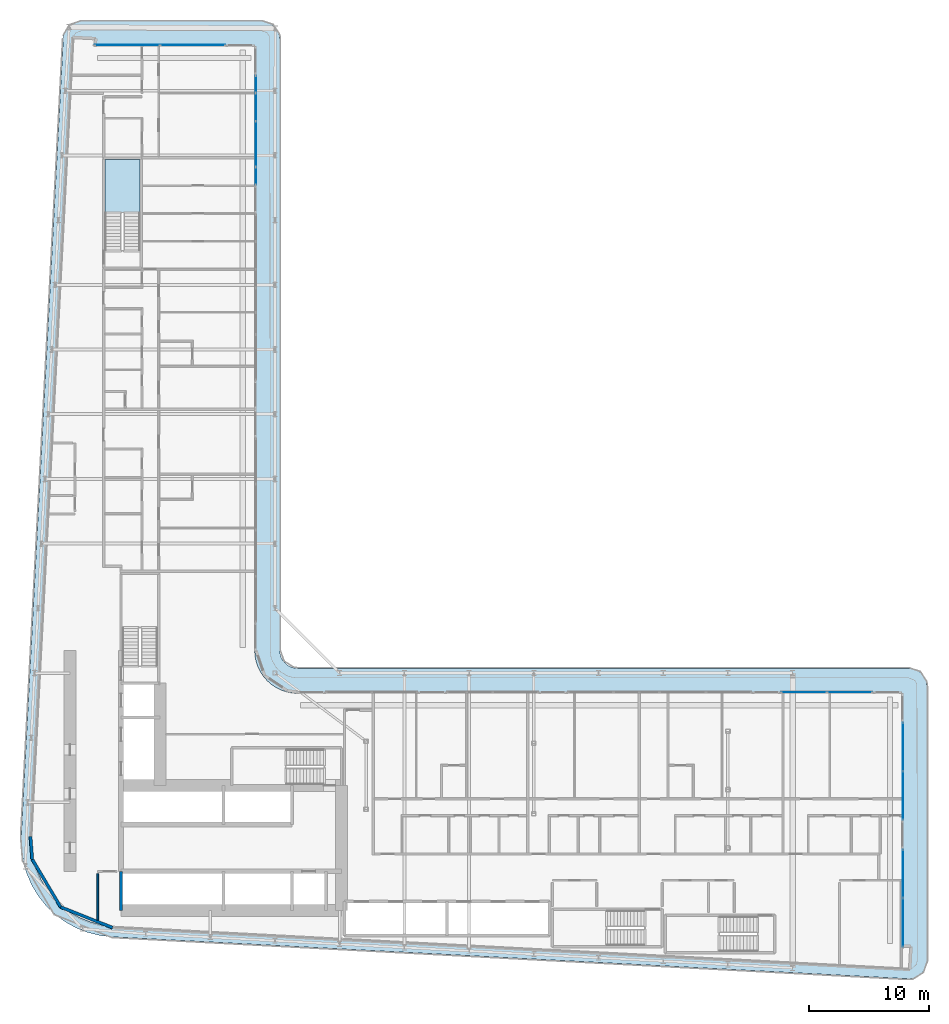
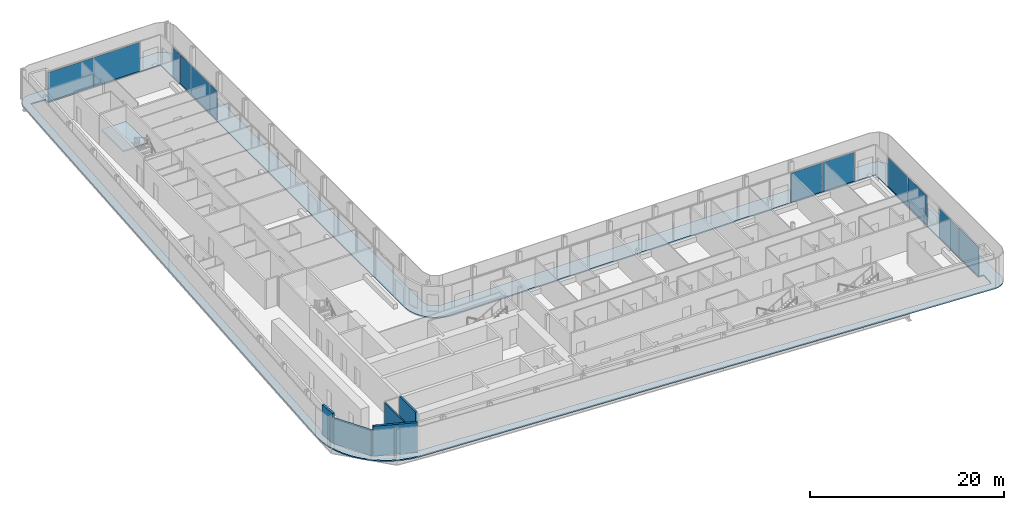
# One storey, part 11 of 27: 12 plates, 5 walls, 2 slabs, 7 elements without a shape of their own.
"""IFC4 building model written with IfcOpenShell, lengths in metres."""

from ifc_helpers import new_model, si_unit, direction, frame, frame_2d, origin, origin_2d, place, context, subcontext, project, spatial, polyline, rectangle, outline, extrude, material, layer, layer_set, type_object, element, aggregate, save


model = new_model("IFC4")

# Units and contexts
model_context = context("Model", 3, precision=1e-05, world=origin(), true_north=direction((0.0, 1.0)))
body_context = subcontext(model_context, "Body", "Model", "MODEL_VIEW")
ifc_project = project(units=[si_unit("LENGTHUNIT", "METRE"), si_unit("AREAUNIT", "SQUARE_METRE"), si_unit("VOLUMEUNIT", "CUBIC_METRE"), si_unit("PLANEANGLEUNIT", "RADIAN"), si_unit("MASSUNIT", "GRAM", prefix="KILO")], contexts=[model_context])

# Site, building, storey
site_placement = place(None, origin())
site = spatial("IfcSite", under=ifc_project, at=site_placement, CompositionType="ELEMENT")
building_placement = place(site_placement, origin())
building = spatial("IfcBuilding", under=site, at=building_placement, Name="Kheshtan School and Residences Tower", CompositionType="ELEMENT")
storey_placement = place(building_placement, frame((0.0, 0.0, 57.800048828125)))
storey = spatial("IfcBuildingStorey", under=building, at=storey_placement, Name="L13", CompositionType="ELEMENT", Elevation=57.800048828125)

# Curtain wall, plates
ifc_material_1 = material(Name="Clear low-e glass in thermally broken aluminium frame", Category="aluminium")
ifc_layer_1 = layer(ifc_material_1, 0.199951171875)
ifc_layer_set_1 = layer_set([ifc_layer_1], Name="Curtain wall CW-L")
curtain_wall_type = type_object("IfcCurtainWallType", Name="Curtain wall CW-L", PredefinedType="NOTDEFINED", material=ifc_layer_set_1)
curtain_wall_1_placement = place(storey_placement, origin())
curtain_wall_1 = element("IfcCurtainWall", 1, at=curtain_wall_1_placement, inside=storey, type_object=curtain_wall_type, Name="Curtain wall CWL7", PredefinedType="NOTDEFINED")
ifc_layer_2 = layer(ifc_material_1, 0.031982421875)
ifc_layer_set_2 = layer_set([ifc_layer_2], Name="CW-L glass panel")
plate_type = type_object("IfcPlateType", Name="CW-L glass panel", PredefinedType="CURTAIN_PANEL", material=ifc_layer_set_2)
plate_1_placement = place(storey_placement, frame((35.259033203125, 98.0, 0.0), z_axis=(0.0, 0.0, 1.0), x_axis=(1.0, 0.0, 0.0)))
plate_1 = element("IfcPlate", 2, at=plate_1_placement, type_object=plate_type, Name="CWL7 panel 1.1", PredefinedType="CURTAIN_PANEL", context=body_context, shape_type="SweptSolid", body=[
    extrude(rectangle(XDim=5.4140625, YDim=0.031982421875, at=origin_2d()), origin(), (0.0, 0.0, 1.0), 3.6298828125),
])
plate_2_placement = place(storey_placement, frame((40.73291015625, 98.0, 0.0), z_axis=(0.0, 0.0, 1.0), x_axis=(1.0, 0.0, 0.0)))
plate_2 = element("IfcPlate", 3, at=plate_2_placement, type_object=plate_type, Name="CWL7 panel 2.1", PredefinedType="CURTAIN_PANEL", context=body_context, shape_type="SweptSolid", body=[
    extrude(rectangle(XDim=5.4140625, YDim=0.031982421875, at=origin_2d()), origin(), (0.0, 0.0, 1.0), 3.6298828125),
])
aggregate(curtain_wall_1, [plate_1, plate_2])

curtain_wall_2_placement = place(storey_placement, origin())
curtain_wall_2 = element("IfcCurtainWall", 4, at=curtain_wall_2_placement, inside=storey, type_object=curtain_wall_type, Name="Curtain wall CWL8c", PredefinedType="NOTDEFINED")
plate_3_placement = place(storey_placement, frame((46.0, 94.735107421875, 0.0), z_axis=(0.0, 0.0, 1.0), x_axis=(0.0, -1.0, 0.0)))
plate_3 = element("IfcPlate", 5, at=plate_3_placement, type_object=plate_type, Name="CWL8c panel 1.1", PredefinedType="CURTAIN_PANEL", context=body_context, shape_type="SweptSolid", body=[
    extrude(rectangle(XDim=1.409912109375, YDim=0.031982421875, at=origin_2d()), origin(), (0.0, 0.0, 1.0), 3.6298828125),
])
plate_4_placement = place(storey_placement, frame((46.0, 92.826416015625, 0.0), z_axis=(0.0, 0.0, 1.0), x_axis=(0.0, -1.0, 0.0)))
plate_4 = element("IfcPlate", 6, at=plate_4_placement, type_object=plate_type, Name="CWL8c panel 2.1", PredefinedType="CURTAIN_PANEL", context=body_context, shape_type="SweptSolid", body=[
    extrude(rectangle(XDim=2.287109375, YDim=0.031982421875, at=origin_2d()), origin(), (0.0, 0.0, 1.0), 3.6298828125),
])
plate_5_placement = place(storey_placement, frame((46.0, 89.744384765625, 0.0), z_axis=(0.0, 0.0, 1.0), x_axis=(0.0, -1.0, 0.0)))
plate_5 = element("IfcPlate", 7, at=plate_5_placement, type_object=plate_type, Name="CWL8c panel 3.1", PredefinedType="CURTAIN_PANEL", context=body_context, shape_type="SweptSolid", body=[
    extrude(rectangle(XDim=3.757080078125, YDim=0.031982421875, at=origin_2d()), origin(), (0.0, 0.0, 1.0), 3.6298828125),
])
aggregate(curtain_wall_2, [plate_3, plate_4, plate_5])

# Curtain wall, plate
curtain_wall_3_placement = place(storey_placement, origin())
curtain_wall_3 = element("IfcCurtainWall", 8, at=curtain_wall_3_placement, inside=storey, type_object=curtain_wall_type, Name="Curtain wall CWL8a", PredefinedType="NOTDEFINED")
plate_6_placement = place(storey_placement, frame((46.0, 87.0859375, 0.0), z_axis=(0.0, 0.0, 1.0), x_axis=(0.0, -1.0, 0.0)))
plate_6 = element("IfcPlate", 9, at=plate_6_placement, type_object=plate_type, Name="CWL8a panel 1.1", PredefinedType="CURTAIN_PANEL", context=body_context, shape_type="SweptSolid", body=[
    extrude(rectangle(XDim=1.43994140625, YDim=0.031982421875, at=origin_2d()), origin(), (0.0, 0.0, 1.0), 3.6298828125),
])
aggregate(curtain_wall_3, [plate_6])

# Curtain wall, plates
curtain_wall_4_placement = place(storey_placement, origin())
curtain_wall_4 = element("IfcCurtainWall", 10, at=curtain_wall_4_placement, inside=storey, type_object=curtain_wall_type, Name="Curtain wall CWL12j", PredefinedType="NOTDEFINED")
plate_7_placement = place(storey_placement, frame((91.744384765625, 44.0, 0.0), z_axis=(0.0, 0.0, 1.0), x_axis=(1.0, 0.0, 0.0)))
plate_7 = element("IfcPlate", 11, at=plate_7_placement, type_object=plate_type, Name="CWL12j panel 1.1", PredefinedType="CURTAIN_PANEL", context=body_context, shape_type="SweptSolid", body=[
    extrude(rectangle(XDim=3.757080078125, YDim=0.031982421875, at=origin_2d()), origin(), (0.0, 0.0, 1.0), 3.6298828125),
])
plate_8_placement = place(storey_placement, frame((95.5615234375, 44.0, 0.0), z_axis=(0.0, 0.0, 1.0), x_axis=(1.0, 0.0, 0.0)))
plate_8 = element("IfcPlate", 12, at=plate_8_placement, type_object=plate_type, Name="CWL12j panel 2.1", PredefinedType="CURTAIN_PANEL", context=body_context, shape_type="SweptSolid", body=[
    extrude(rectangle(XDim=3.757080078125, YDim=0.031982421875, at=origin_2d()), origin(), (0.0, 0.0, 1.0), 3.6298828125),
])
aggregate(curtain_wall_4, [plate_7, plate_8])

curtain_wall_5_placement = place(storey_placement, origin())
curtain_wall_5 = element("IfcCurtainWall", 13, at=curtain_wall_5_placement, inside=storey, type_object=curtain_wall_type, Name="Curtain wall CWL13b", PredefinedType="NOTDEFINED")
plate_9_placement = place(storey_placement, frame((100.0, 39.436767578125, 0.0), z_axis=(0.0, 0.0, 1.0), x_axis=(0.0, -1.0, 0.0)))
plate_9 = element("IfcPlate", 14, at=plate_9_placement, type_object=plate_type, Name="CWL13b panel 1.1", PredefinedType="CURTAIN_PANEL", context=body_context, shape_type="SweptSolid", body=[
    extrude(rectangle(XDim=4.006591796875, YDim=0.031982421875, at=origin_2d()), origin(), (0.0, 0.0, 1.0), 3.6298828125),
])
plate_10_placement = place(storey_placement, frame((100.0, 35.370361328125, 0.0), z_axis=(0.0, 0.0, 1.0), x_axis=(0.0, -1.0, 0.0)))
plate_10 = element("IfcPlate", 15, at=plate_10_placement, type_object=plate_type, Name="CWL13b panel 2.1", PredefinedType="CURTAIN_PANEL", context=body_context, shape_type="SweptSolid", body=[
    extrude(rectangle(XDim=4.006591796875, YDim=0.031982421875, at=origin_2d()), origin(), (0.0, 0.0, 1.0), 3.6298828125),
])
aggregate(curtain_wall_5, [plate_9, plate_10])

curtain_wall_6_placement = place(storey_placement, origin())
curtain_wall_6 = element("IfcCurtainWall", 16, at=curtain_wall_6_placement, inside=storey, type_object=curtain_wall_type, Name="Curtain wall CWL13b", PredefinedType="NOTDEFINED")
plate_11_placement = place(storey_placement, frame((100.0, 28.84375, 0.0), z_axis=(0.0, 0.0, 1.0), x_axis=(0.0, -1.0, 0.0)))
plate_11 = element("IfcPlate", 17, at=plate_11_placement, type_object=plate_type, Name="CWL13b panel 1.1", PredefinedType="CURTAIN_PANEL", context=body_context, shape_type="SweptSolid", body=[
    extrude(rectangle(XDim=4.006591796875, YDim=0.031982421875, at=origin_2d()), origin(), (0.0, 0.0, 1.0), 3.6298828125),
])
plate_12_placement = place(storey_placement, frame((100.0, 24.77734375, 0.0), z_axis=(0.0, 0.0, 1.0), x_axis=(0.0, -1.0, 0.0)))
plate_12 = element("IfcPlate", 18, at=plate_12_placement, type_object=plate_type, Name="CWL13b panel 2.1", PredefinedType="CURTAIN_PANEL", context=body_context, shape_type="SweptSolid", body=[
    extrude(rectangle(XDim=4.006591796875, YDim=0.031982421875, at=origin_2d()), origin(), (0.0, 0.0, 1.0), 3.6298828125),
])
aggregate(curtain_wall_6, [plate_11, plate_12])

# Slab
ifc_material_2 = material(Name="Concrete C40/50", Category="concrete")
ifc_layer_3 = layer(ifc_material_2, 0.14990234375)
ifc_layer_set_3 = layer_set([ifc_layer_3], Name="Loggia balcony slab 150 Concrete C40/50")
slab_type_1 = type_object("IfcSlabType", Name="Loggia balcony slab 150 Concrete C40/50", PredefinedType="FLOOR", material=ifc_layer_set_3)
slab_1_placement = place(storey_placement, frame((0.0, 0.0, -0.150146484375)))
element("IfcSlab", 19, at=slab_1_placement, inside=storey, type_object=slab_type_1, Name="Loggia balcony slab L13", PredefinedType="FLOOR", context=body_context, shape_type="SweptSolid", body=[
    extrude(outline(polyline([(28.4580078125, 26.222900390625), (28.45703125, 26.222900390625), (28.45703125, 26.22412109375), (28.4560546875, 26.22412109375), (27.81494140625, 27.0390625), (27.281005859375, 27.93798828125), (26.867919921875, 28.89990234375), (26.583984375, 29.89990234375), (26.583984375, 29.906982421875), (26.43408203125, 30.943115234375), (26.419921875, 31.989013671875), (29.925048828125, 98.5791015625), (29.930908203125, 98.626953125), (29.930908203125, 98.6279296875), (29.929931640625, 98.6279296875), (29.929931640625, 98.62890625), (29.928955078125, 98.62890625), (29.928955078125, 98.6298828125), (29.927978515625, 98.6298828125), (29.927978515625, 98.631103515625), (29.927001953125, 98.631103515625), (29.927001953125, 98.632080078125), (29.927001953125, 98.633056640625), (29.945068359375, 98.781005859375), (29.945068359375, 98.783935546875), (29.945068359375, 98.784912109375), (29.946044921875, 98.784912109375), (29.946044921875, 98.785888671875), (29.947021484375, 98.785888671875), (29.947021484375, 98.787109375), (29.947998046875, 98.787109375), (29.948974609375, 98.787109375), (29.948974609375, 98.7880859375), (29.949951171875, 98.7880859375), (29.949951171875, 98.7890625), (29.949951171875, 98.791015625), (30.0029296875, 98.98388671875), (30.083984375, 99.175048828125), (30.18896484375, 99.35302734375), (30.31103515625, 99.507080078125), (30.31201171875, 99.507080078125), (30.31201171875, 99.508056640625), (30.31298828125, 99.508056640625), (30.31298828125, 99.509033203125), (30.31396484375, 99.509033203125), (30.31396484375, 99.510009765625), (30.31494140625, 99.510009765625), (30.31494140625, 99.510986328125), (30.31591796875, 99.510986328125), (30.31591796875, 99.511962890625), (30.31689453125, 99.511962890625), (30.31689453125, 99.512939453125), (30.318115234375, 99.512939453125), (30.320068359375, 99.512939453125), (30.321044921875, 99.512939453125), (30.321044921875, 99.513916015625), (30.468017578125, 99.656982421875), (30.468994140625, 99.656982421875), (30.468994140625, 99.657958984375), (30.469970703125, 99.657958984375), (30.469970703125, 99.658935546875), (30.470947265625, 99.658935546875), (30.470947265625, 99.659912109375), (30.471923828125, 99.659912109375), (30.471923828125, 99.660888671875), (30.472900390625, 99.660888671875), (30.472900390625, 99.662109375), (30.47412109375, 99.662109375), (30.47412109375, 99.6630859375), (30.47509765625, 99.6630859375), (30.47509765625, 99.6640625), (30.635986328125, 99.777099609375), (30.820068359375, 99.873046875), (31.007080078125, 99.943115234375), (31.013916015625, 99.943115234375), (31.217041015625, 99.986083984375), (31.423095703125, 100.0), (46.5, 100.0), (46.696044921875, 99.987060546875), (46.887939453125, 99.948974609375), (46.89501953125, 99.948974609375), (47.073974609375, 99.885986328125), (47.243896484375, 99.801025390625), (47.2451171875, 99.801025390625), (47.2470703125, 99.801025390625), (47.248046875, 99.801025390625), (47.248046875, 99.802001953125), (47.2490234375, 99.802001953125), (47.2490234375, 99.802978515625), (47.25, 99.802978515625), (47.2529296875, 99.802978515625), (47.25390625, 99.802978515625), (47.25390625, 99.802001953125), (47.2548828125, 99.802001953125), (47.2548828125, 99.801025390625), (47.256103515625, 99.801025390625), (47.256103515625, 99.800048828125), (47.257080078125, 99.800048828125), (47.257080078125, 99.799072265625), (47.258056640625, 99.799072265625), (47.258056640625, 99.798095703125), (47.412109375, 99.696044921875), (47.4130859375, 99.696044921875), (47.4130859375, 99.695068359375), (47.4140625, 99.695068359375), (47.4140625, 99.694091796875), (47.4140625, 99.68994140625), (47.4140625, 99.68896484375), (47.4150390625, 99.68896484375), (47.4150390625, 99.68798828125), (47.416015625, 99.68798828125), (47.416015625, 99.68701171875), (47.4169921875, 99.68701171875), (47.4169921875, 99.68603515625), (47.554931640625, 99.568115234375), (47.554931640625, 99.56689453125), (47.555908203125, 99.56689453125), (47.555908203125, 99.56591796875), (47.556884765625, 99.56591796875), (47.556884765625, 99.56494140625), (47.55810546875, 99.56494140625), (47.55810546875, 99.56396484375), (47.55908203125, 99.56396484375), (47.55908203125, 99.56298828125), (47.56005859375, 99.56298828125), (47.56005859375, 99.56201171875), (47.56103515625, 99.56201171875), (47.56201171875, 99.56103515625), (47.56201171875, 99.56005859375), (47.56298828125, 99.56005859375), (47.56298828125, 99.55908203125), (47.56396484375, 99.55908203125), (47.56396484375, 99.55810546875), (47.56494140625, 99.55810546875), (47.56494140625, 99.556884765625), (47.56591796875, 99.556884765625), (47.56591796875, 99.555908203125), (47.56689453125, 99.555908203125), (47.56689453125, 99.554931640625), (47.568115234375, 99.554931640625), (47.68505859375, 99.41796875), (47.68603515625, 99.41796875), (47.68603515625, 99.4169921875), (47.68701171875, 99.4169921875), (47.68701171875, 99.416015625), (47.68798828125, 99.416015625), (47.68798828125, 99.4150390625), (47.68896484375, 99.4150390625), (47.68896484375, 99.4140625), (47.68994140625, 99.4140625), (47.694091796875, 99.4140625), (47.695068359375, 99.4140625), (47.695068359375, 99.4130859375), (47.696044921875, 99.4130859375), (47.696044921875, 99.412109375), (47.797119140625, 99.259033203125), (47.798095703125, 99.259033203125), (47.798095703125, 99.258056640625), (47.799072265625, 99.258056640625), (47.799072265625, 99.257080078125), (47.800048828125, 99.257080078125), (47.800048828125, 99.256103515625), (47.801025390625, 99.256103515625), (47.801025390625, 99.2548828125), (47.802001953125, 99.2548828125), (47.802001953125, 99.25390625), (47.802978515625, 99.25390625), (47.802978515625, 99.2529296875), (47.802978515625, 99.25), (47.802978515625, 99.2490234375), (47.802001953125, 99.2490234375), (47.802001953125, 99.248046875), (47.801025390625, 99.248046875), (47.801025390625, 99.2470703125), (47.801025390625, 99.243896484375), (47.801025390625, 99.242919921875), (47.885986328125, 99.073974609375), (47.948974609375, 98.89501953125), (47.948974609375, 98.887939453125), (47.987060546875, 98.696044921875), (48.0, 98.5), (48.0, 47.5), (48.012939453125, 47.303955078125), (48.051025390625, 47.113037109375), (48.051025390625, 47.10693359375), (48.051025390625, 47.10595703125), (48.114013671875, 46.926025390625), (48.200927734375, 46.75), (48.31005859375, 46.5869140625), (48.431884765625, 46.444091796875), (48.43310546875, 46.444091796875), (48.43310546875, 46.443115234375), (48.43408203125, 46.443115234375), (48.43408203125, 46.44189453125), (48.43505859375, 46.44189453125), (48.43505859375, 46.44091796875), (48.43603515625, 46.44091796875), (48.43603515625, 46.43994140625), (48.43701171875, 46.43994140625), (48.43701171875, 46.43896484375), (48.43798828125, 46.43896484375), (48.43896484375, 46.43798828125), (48.43896484375, 46.43701171875), (48.43994140625, 46.43701171875), (48.43994140625, 46.43603515625), (48.44091796875, 46.43603515625), (48.44091796875, 46.43505859375), (48.44189453125, 46.43505859375), (48.44189453125, 46.43408203125), (48.443115234375, 46.43408203125), (48.443115234375, 46.43310546875), (48.444091796875, 46.43310546875), (48.444091796875, 46.431884765625), (48.5869140625, 46.31005859375), (48.75, 46.200927734375), (48.926025390625, 46.114013671875), (49.10595703125, 46.051025390625), (49.10693359375, 46.051025390625), (49.113037109375, 46.051025390625), (49.303955078125, 46.012939453125), (49.5, 46.0), (100.5, 46.0), (100.696044921875, 45.987060546875), (100.887939453125, 45.948974609375), (100.89501953125, 45.948974609375), (101.073974609375, 45.885986328125), (101.241943359375, 45.801025390625), (101.242919921875, 45.801025390625), (101.2470703125, 45.801025390625), (101.248046875, 45.801025390625), (101.248046875, 45.802001953125), (101.2490234375, 45.802001953125), (101.2490234375, 45.802978515625), (101.25, 45.802978515625), (101.2529296875, 45.802978515625), (101.25390625, 45.802978515625), (101.25390625, 45.802001953125), (101.2548828125, 45.802001953125), (101.2548828125, 45.801025390625), (101.256103515625, 45.801025390625), (101.256103515625, 45.800048828125), (101.257080078125, 45.800048828125), (101.257080078125, 45.799072265625), (101.258056640625, 45.799072265625), (101.258056640625, 45.798095703125), (101.259033203125, 45.798095703125), (101.259033203125, 45.797119140625), (101.260009765625, 45.797119140625), (101.260009765625, 45.7958984375), (101.412109375, 45.696044921875), (101.4130859375, 45.696044921875), (101.4130859375, 45.695068359375), (101.4140625, 45.695068359375), (101.4140625, 45.694091796875), (101.4140625, 45.68994140625), (101.4140625, 45.68896484375), (101.4150390625, 45.68896484375), (101.4150390625, 45.68798828125), (101.416015625, 45.68798828125), (101.416015625, 45.68701171875), (101.4169921875, 45.68701171875), (101.4169921875, 45.68603515625), (101.41796875, 45.68603515625), (101.41796875, 45.68505859375), (101.4189453125, 45.68505859375), (101.4189453125, 45.68408203125), (101.554931640625, 45.568115234375), (101.554931640625, 45.56689453125), (101.555908203125, 45.56689453125), (101.555908203125, 45.56591796875), (101.556884765625, 45.56591796875), (101.556884765625, 45.56494140625), (101.55810546875, 45.56494140625), (101.55810546875, 45.56396484375), (101.55908203125, 45.56396484375), (101.55908203125, 45.56298828125), (101.56005859375, 45.56298828125), (101.56005859375, 45.56201171875), (101.56103515625, 45.56201171875), (101.56201171875, 45.56103515625), (101.56201171875, 45.56005859375), (101.56298828125, 45.56005859375), (101.56298828125, 45.55908203125), (101.56396484375, 45.55908203125), (101.56396484375, 45.55810546875), (101.56494140625, 45.55810546875), (101.56494140625, 45.556884765625), (101.56591796875, 45.556884765625), (101.56591796875, 45.555908203125), (101.56689453125, 45.555908203125), (101.56689453125, 45.554931640625), (101.568115234375, 45.554931640625), (101.681884765625, 45.4208984375), (101.68310546875, 45.4208984375), (101.68310546875, 45.419921875), (101.68408203125, 45.419921875), (101.68408203125, 45.4189453125), (101.68505859375, 45.4189453125), (101.68505859375, 45.41796875), (101.68603515625, 45.41796875), (101.68603515625, 45.4169921875), (101.68701171875, 45.4169921875), (101.68701171875, 45.416015625), (101.68798828125, 45.416015625), (101.68798828125, 45.4150390625), (101.68896484375, 45.4150390625), (101.68896484375, 45.4140625), (101.68994140625, 45.4140625), (101.694091796875, 45.4140625), (101.695068359375, 45.4140625), (101.695068359375, 45.4130859375), (101.696044921875, 45.4130859375), (101.696044921875, 45.412109375), (101.7939453125, 45.261962890625), (101.794921875, 45.261962890625), (101.794921875, 45.260986328125), (101.7958984375, 45.260986328125), (101.7958984375, 45.260009765625), (101.797119140625, 45.260009765625), (101.797119140625, 45.259033203125), (101.798095703125, 45.259033203125), (101.798095703125, 45.258056640625), (101.799072265625, 45.258056640625), (101.799072265625, 45.257080078125), (101.800048828125, 45.257080078125), (101.800048828125, 45.256103515625), (101.801025390625, 45.256103515625), (101.801025390625, 45.2548828125), (101.802001953125, 45.2548828125), (101.802001953125, 45.25390625), (101.802978515625, 45.25390625), (101.802978515625, 45.2529296875), (101.802978515625, 45.25), (101.802978515625, 45.2490234375), (101.802001953125, 45.2490234375), (101.802001953125, 45.248046875), (101.801025390625, 45.248046875), (101.801025390625, 45.2470703125), (101.801025390625, 45.240966796875), (101.801025390625, 45.239990234375), (101.885986328125, 45.073974609375), (101.948974609375, 44.89501953125), (101.948974609375, 44.887939453125), (101.987060546875, 44.696044921875), (102.0, 44.5), (102.0, 21.5810546875), (101.986083984375, 21.37890625), (101.945068359375, 21.179931640625), (101.945068359375, 21.173095703125), (101.8779296875, 20.989013671875), (101.785888671875, 20.80810546875), (101.6708984375, 20.64306640625), (101.6708984375, 20.64208984375), (101.6708984375, 20.64111328125), (101.6708984375, 20.639892578125), (101.672119140625, 20.639892578125), (101.672119140625, 20.638916015625), (101.672119140625, 20.636962890625), (101.672119140625, 20.635986328125), (101.6708984375, 20.635986328125), (101.6708984375, 20.635009765625), (101.5380859375, 20.491943359375), (101.534912109375, 20.489013671875), (101.533935546875, 20.489013671875), (101.533935546875, 20.488037109375), (101.532958984375, 20.488037109375), (101.531005859375, 20.488037109375), (101.530029296875, 20.488037109375), (101.530029296875, 20.489013671875), (101.529052734375, 20.489013671875), (101.528076171875, 20.489013671875), (101.527099609375, 20.489013671875), (101.3759765625, 20.364013671875), (101.2041015625, 20.256103515625), (101.01904296875, 20.174072265625), (100.8310546875, 20.116943359375), (100.823974609375, 20.116943359375), (100.6240234375, 20.0859375), (100.4208984375, 20.0830078125), (33.989013671875, 23.580078125), (33.94189453125, 23.5859375), (33.94091796875, 23.5859375), (33.93994140625, 23.5859375), (33.93994140625, 23.5849609375), (33.93896484375, 23.5849609375), (33.93896484375, 23.583984375), (33.93798828125, 23.583984375), (33.93798828125, 23.5830078125), (33.93701171875, 23.5830078125), (33.93701171875, 23.58203125), (33.93603515625, 23.58203125), (33.93505859375, 23.58203125), (32.952880859375, 23.697998046875), (32.949951171875, 23.697998046875), (32.948974609375, 23.697998046875), (32.948974609375, 23.698974609375), (32.947998046875, 23.698974609375), (32.947998046875, 23.699951171875), (32.947021484375, 23.699951171875), (32.947021484375, 23.700927734375), (32.947021484375, 23.702880859375), (32.947021484375, 23.7041015625), (32.946044921875, 23.7041015625), (32.946044921875, 23.705078125), (32.945068359375, 23.705078125), (32.944091796875, 23.705078125), (31.93603515625, 23.9609375), (31.928955078125, 23.9609375), (30.964111328125, 24.34912109375), (30.051025390625, 24.860107421875), (29.218994140625, 25.47900390625), (29.218994140625, 25.47998046875), (29.218017578125, 25.47998046875), (29.218017578125, 25.48095703125), (29.217041015625, 25.48095703125), (29.217041015625, 25.48193359375), (29.216064453125, 25.48193359375), (29.216064453125, 25.48291015625), (29.215087890625, 25.48291015625), (29.215087890625, 25.48388671875), (29.214111328125, 25.48388671875), (29.214111328125, 25.485107421875), (29.212890625, 25.485107421875), (29.212890625, 25.486083984375), (29.2119140625, 25.486083984375), (28.466064453125, 26.217041015625), (28.466064453125, 26.218017578125), (28.465087890625, 26.218017578125), (28.462890625, 26.218017578125), (28.4619140625, 26.218017578125), (28.4619140625, 26.218994140625), (28.4609375, 26.218994140625), (28.4609375, 26.219970703125), (28.4599609375, 26.219970703125), (28.4599609375, 26.220947265625), (28.458984375, 26.220947265625), (28.458984375, 26.221923828125), (28.4580078125, 26.221923828125), (28.4580078125, 26.222900390625)]), holes=[polyline([(29.12890625, 26.824951171875), (29.12890625, 26.823974609375), (29.1298828125, 26.823974609375), (29.1298828125, 26.822998046875), (29.131103515625, 26.822998046875), (29.131103515625, 26.822021484375), (29.132080078125, 26.822021484375), (29.132080078125, 26.821044921875), (29.133056640625, 26.821044921875), (29.133056640625, 26.820068359375), (29.134033203125, 26.820068359375), (29.7958984375, 26.173095703125), (29.7958984375, 26.172119140625), (29.797119140625, 26.172119140625), (29.798095703125, 26.172119140625), (29.799072265625, 26.172119140625), (29.799072265625, 26.1708984375), (29.800048828125, 26.1708984375), (29.800048828125, 26.169921875), (29.801025390625, 26.169921875), (29.801025390625, 26.1689453125), (29.802001953125, 26.1689453125), (29.802001953125, 26.16796875), (29.802978515625, 26.16796875), (29.802978515625, 26.1669921875), (29.803955078125, 26.1669921875), (29.803955078125, 26.166015625), (30.541015625, 25.616943359375), (31.35205078125, 25.1630859375), (32.208984375, 24.819091796875), (32.2099609375, 24.819091796875), (32.216064453125, 24.819091796875), (33.114990234375, 24.590087890625), (34.06591796875, 24.47705078125), (100.43798828125, 20.98291015625), (100.465087890625, 20.98388671875), (100.466064453125, 20.98388671875), (100.467041015625, 20.98388671875), (100.467041015625, 20.985107421875), (100.468017578125, 20.985107421875), (100.468017578125, 20.986083984375), (100.468017578125, 20.987060546875), (100.55810546875, 22.676025390625), (100.55810546875, 22.677001953125), (100.55810546875, 22.677978515625), (100.556884765625, 22.677978515625), (100.556884765625, 22.678955078125), (100.555908203125, 22.678955078125), (100.554931640625, 22.678955078125), (99.90087890625, 22.714111328125), (99.89990234375, 22.714111328125), (99.89990234375, 22.715087890625), (99.89990234375, 43.89794921875), (99.89990234375, 43.89892578125), (99.89892578125, 43.89892578125), (99.89892578125, 43.89990234375), (99.89794921875, 43.89990234375), (49.429931640625, 43.89990234375), (49.030029296875, 43.927001953125), (48.569091796875, 44.01806640625), (48.56201171875, 44.01806640625), (48.1201171875, 44.169921875), (47.697021484375, 44.37890625), (47.30810546875, 44.638916015625), (46.95703125, 44.944091796875), (46.95703125, 44.945068359375), (46.9560546875, 44.945068359375), (46.9560546875, 44.946044921875), (46.955078125, 44.946044921875), (46.955078125, 44.947021484375), (46.9541015625, 44.947021484375), (46.9541015625, 44.947998046875), (46.952880859375, 44.947998046875), (46.952880859375, 44.948974609375), (46.951904296875, 44.948974609375), (46.951904296875, 44.949951171875), (46.951904296875, 44.950927734375), (46.950927734375, 44.950927734375), (46.950927734375, 44.951904296875), (46.949951171875, 44.951904296875), (46.948974609375, 44.951904296875), (46.948974609375, 44.952880859375), (46.947998046875, 44.952880859375), (46.947998046875, 44.9541015625), (46.947021484375, 44.9541015625), (46.947021484375, 44.955078125), (46.946044921875, 44.955078125), (46.946044921875, 44.9560546875), (46.945068359375, 44.9560546875), (46.945068359375, 44.95703125), (46.944091796875, 44.95703125), (46.638916015625, 45.30810546875), (46.37890625, 45.697021484375), (46.169921875, 46.1201171875), (46.01806640625, 46.56201171875), (46.01806640625, 46.569091796875), (45.927001953125, 47.030029296875), (45.89990234375, 47.429931640625), (45.89990234375, 97.89794921875), (45.89990234375, 97.89892578125), (45.89892578125, 97.89892578125), (45.89892578125, 97.89990234375), (45.89794921875, 97.89990234375), (32.492919921875, 97.89990234375), (32.491943359375, 97.89990234375), (32.52099609375, 98.43896484375), (32.52099609375, 98.43994140625), (32.52099609375, 98.44091796875), (32.52001953125, 98.44091796875), (32.52001953125, 98.44189453125), (32.51904296875, 98.44189453125), (32.51806640625, 98.44189453125), (30.8291015625, 98.531982421875), (30.827880859375, 98.531982421875), (30.826904296875, 98.531982421875), (30.826904296875, 98.531005859375), (30.825927734375, 98.531005859375), (30.825927734375, 98.530029296875), (30.825927734375, 98.529052734375), (30.822021484375, 98.5009765625), (27.320068359375, 31.970947265625), (27.3330078125, 31.013916015625), (27.466064453125, 30.093994140625), (27.466064453125, 30.087890625), (27.466064453125, 30.0869140625), (27.718017578125, 29.200927734375), (28.0849609375, 28.345947265625), (28.55908203125, 27.550048828125), (29.126953125, 26.825927734375), (29.1279296875, 26.825927734375), (29.1279296875, 26.824951171875), (29.12890625, 26.824951171875)])]), origin(), (0.0, 0.0, 1.0), 0.150146484375),
])

# Stair, slab
stair_type = type_object("IfcStairType", Name="Exit stair, half-turn", PredefinedType="HALF_TURN_STAIR", material=ifc_material_2)
stair_placement = place(storey_placement, origin())
stair = element("IfcStair", 20, at=stair_placement, inside=storey, type_object=stair_type, Name="L13 Protected Exit Stair ST3", PredefinedType="HALF_TURN_STAIR")
ifc_layer_4 = layer(ifc_material_2, 0.199951171875)
ifc_layer_set_4 = layer_set([ifc_layer_4], Name="Stair landing 200 Concrete C40/50")
slab_type_2 = type_object("IfcSlabType", Name="Stair landing 200 Concrete C40/50", PredefinedType="LANDING", material=ifc_layer_set_4)
slab_2_placement = place(storey_placement, frame((0.0, 0.0, 1.75)))
slab_2 = element("IfcSlab", 21, at=slab_2_placement, type_object=slab_type_2, Name="ST3 landing 1", PredefinedType="LANDING", context=body_context, shape_type="SweptSolid", body=[
    extrude(outline(polyline([(36.35009765625, 83.97998046875), (36.35009765625, 88.4599609375), (33.39990234375, 88.4599609375), (33.39990234375, 83.97998046875), (36.35009765625, 83.97998046875)])), origin(), (0.0, 0.0, 1.0), 0.199951171875),
])
aggregate(stair, [slab_2])

# Walls
ifc_material_3 = material(Name="Concrete C40/50 with ceramic cladding and mineral wool insulation", Category="concrete")
ifc_layer_5 = layer(ifc_material_3, 0.25)
ifc_layer_set_5 = layer_set([ifc_layer_5], Name="External wall 250 ceramic clad")
wall_type_1 = type_object("IfcWallType", Name="External wall 250 ceramic clad", PredefinedType="SOLIDWALL", material=ifc_layer_set_5)
wall_1_placement = place(storey_placement, frame((34.0390625, 24.35302734375, 0.0), z_axis=(0.0, 0.0, 1.0), x_axis=(-0.929352825399, 0.369192803184, 0.0)))
element("IfcWall", 22, at=wall_1_placement, inside=storey, type_object=wall_type_1, Name="External wall L13 1", PredefinedType="SOLIDWALL", context=body_context, shape_type="SweptSolid", body=[
    extrude(rectangle(XDim=4.656005859375, YDim=0.25, at=frame_2d((2.328125, 0.0))), origin(), (0.0, 0.0, 1.0), 3.75),
])
wall_2_placement = place(storey_placement, frame((29.7119140625, 26.072021484375, 0.0), z_axis=(0.0, 0.0, 1.0), x_axis=(-0.511028049012, 0.859564036662, 0.0)))
element("IfcWall", 23, at=wall_2_placement, inside=storey, type_object=wall_type_1, Name="External wall L13 2", PredefinedType="SOLIDWALL", context=body_context, shape_type="SweptSolid", body=[
    extrude(rectangle(XDim=4.633544921875, YDim=0.25, at=frame_2d((2.31689453125, 0.0))), origin(), (0.0, 0.0, 1.0), 3.133056640625),
])
wall_3_placement = place(storey_placement, frame((27.343994140625, 30.054931640625, 0.0), z_axis=(0.0, 0.0, 1.0), x_axis=(-0.077571675317, 0.99698677784, 0.0)))
element("IfcWall", 24, at=wall_3_placement, inside=storey, type_object=wall_type_1, Name="External wall L13 3", PredefinedType="SOLIDWALL", context=body_context, shape_type="SweptSolid", body=[
    extrude(rectangle(XDim=1.919921875, YDim=0.25, at=frame_2d((0.9599609375, 0.0))), origin(), (0.0, 0.0, 1.0), 3.75),
])
ifc_material_4 = material(Name="Fire-board shaft wall system")
ifc_layer_6 = layer(ifc_material_4, 0.14990234375)
ifc_layer_set_6 = layer_set([ifc_layer_6], Name="Service room wall 150")
wall_type_2 = type_object("IfcWallType", Name="Service room wall 150", PredefinedType="PARTITIONING", material=ifc_layer_set_6)
wall_4_placement = place(storey_placement, frame((32.804931640625, 24.97998046875, 0.0), z_axis=(0.0, 0.0, 1.0), x_axis=(0.0, 1.0, 0.0)))
element("IfcWall", 25, at=wall_4_placement, inside=storey, type_object=wall_type_2, Name="Service room wall", PredefinedType="PARTITIONING", context=body_context, shape_type="SweptSolid", body=[
    extrude(rectangle(XDim=3.875, YDim=0.14990234375, at=frame_2d((1.9375, 0.0))), origin(), (0.0, 0.0, 1.0), 3.89990234375),
])
ifc_layer_7 = layer(ifc_material_4, 0.25)
ifc_layer_set_7 = layer_set([ifc_layer_7], Name="Shaft lining wall 250")
wall_type_3 = type_object("IfcWallType", Name="Shaft lining wall 250", PredefinedType="PARTITIONING", material=ifc_layer_set_7)
wall_5_placement = place(storey_placement, frame((34.75, 25.800048828125, 0.0), z_axis=(0.0, 0.0, 1.0), x_axis=(0.0, 1.0, 0.0)))
element("IfcWall", 26, at=wall_5_placement, inside=storey, type_object=wall_type_3, Name="Shaft lining wall", PredefinedType="PARTITIONING", context=body_context, shape_type="SweptSolid", body=[
    extrude(rectangle(XDim=3.25, YDim=0.25, at=frame_2d((1.625, 0.0))), origin(), (0.0, 0.0, 1.0), 3.89990234375),
])

save(model, "model.ifc")
